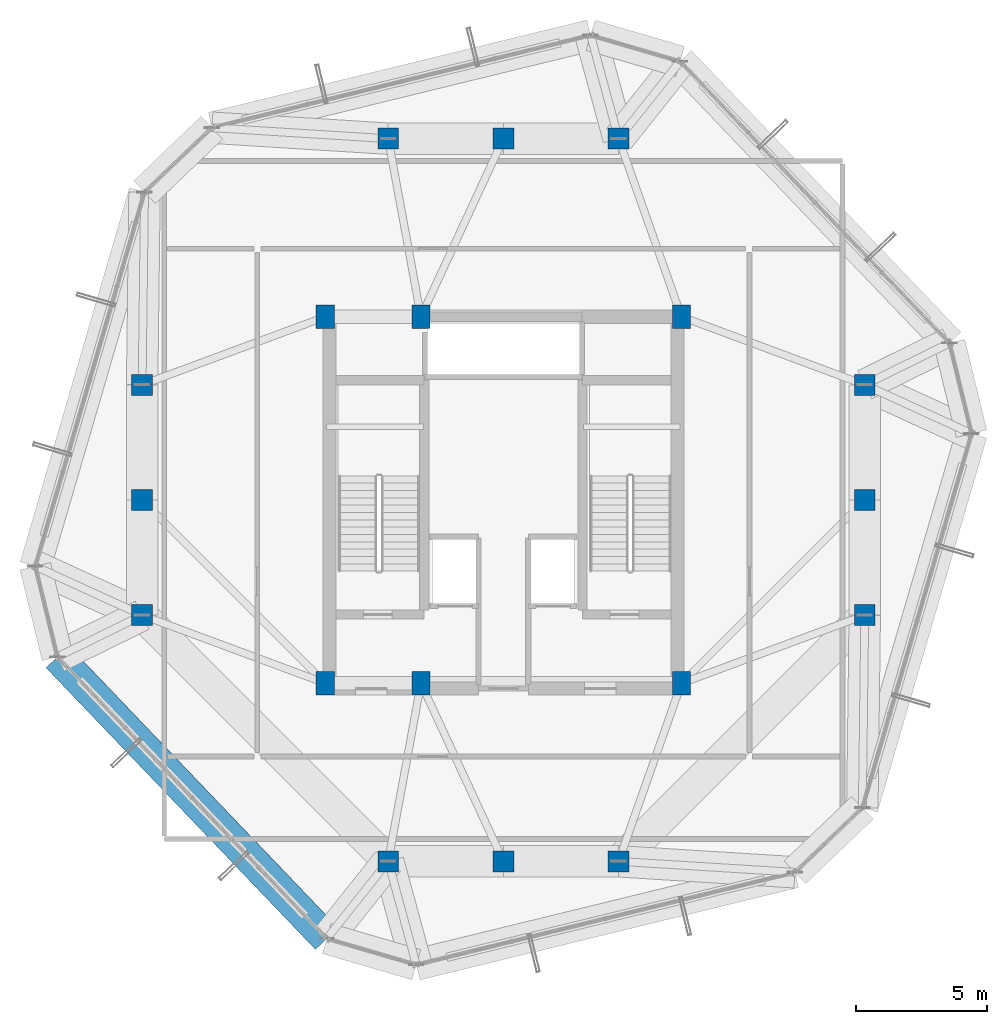
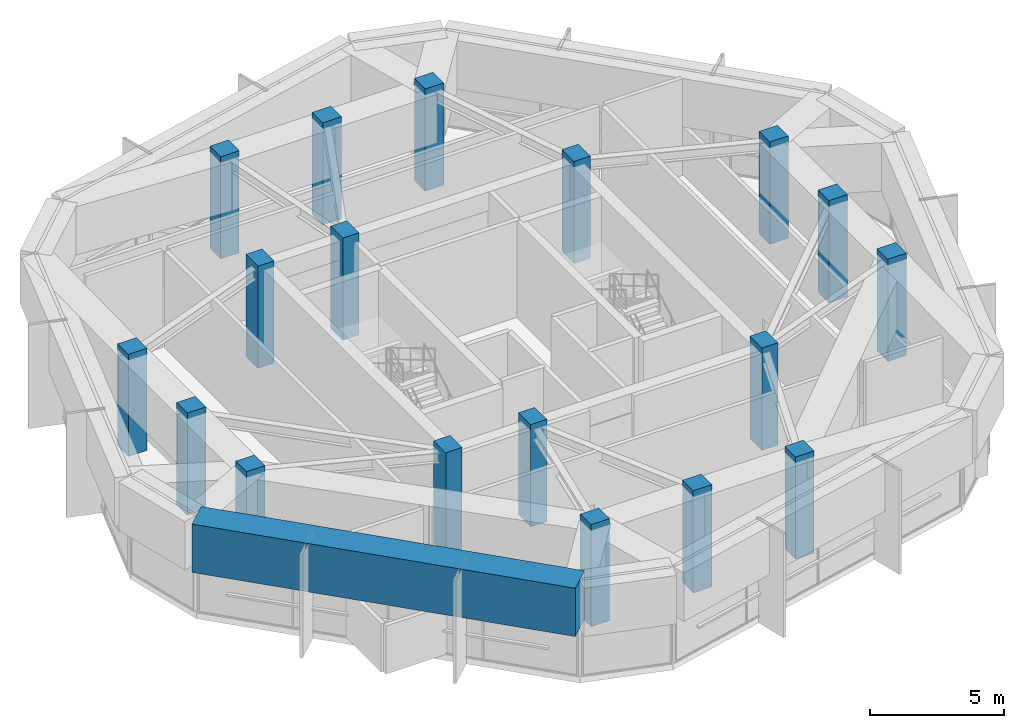
# One storey, part 1 of 39: 18 columns, 1 beam.
"""IFC4 building model written with IfcOpenShell, lengths in metres."""

from ifc_helpers import new_model, si_unit, direction, frame, origin, origin_2d, place, context, subcontext, project, spatial, rectangle, extrude, material, material_profile, profile_set, type_object, element, save


model = new_model("IFC4")

# Units and contexts
model_context = context("Model", 3, precision=1e-05, world=origin(), true_north=direction((0.0, 1.0)))
body_context = subcontext(model_context, "Body", "Model", "MODEL_VIEW")
ifc_project = project(units=[si_unit("LENGTHUNIT", "METRE"), si_unit("AREAUNIT", "SQUARE_METRE"), si_unit("VOLUMEUNIT", "CUBIC_METRE"), si_unit("PLANEANGLEUNIT", "RADIAN"), si_unit("MASSUNIT", "GRAM", prefix="KILO")], contexts=[model_context])

# Site, building, storey
site_placement = place(None, origin())
site = spatial("IfcSite", under=ifc_project, at=site_placement, CompositionType="ELEMENT")
building_placement = place(site_placement, origin())
building = spatial("IfcBuilding", under=site, at=building_placement, Name="Veraguas Prism Commons", CompositionType="ELEMENT")
storey_placement = place(building_placement, frame((0.0, 0.0, 264.25)))
storey = spatial("IfcBuildingStorey", under=building, at=storey_placement, Name="L75", CompositionType="ELEMENT", Elevation=264.25)

# Columns
ifc_material = material(Name="Concrete C50/60", Category="concrete")
ifc_material_profile_1 = material_profile(ifc_material, rectangle(XDim=0.800048828125, YDim=0.800048828125, at=origin_2d()), Name="RC800X800")
ifc_profile_set_1 = profile_set([ifc_material_profile_1], Name="Concrete C50/60")
column_type_1 = type_object("IfcColumnType", Name="Column Tube Z4 RC 800x800", PredefinedType="COLUMN", material=ifc_profile_set_1)
for number, where, z_axis, x_axis, name in (
    (1, (37.800048828125, 19.60009765625, 0.0), (0.0, 0.0, 1.0), (1.0, 0.0, 0.0), "Tower Perimeter Column L75-TB01"),
    (2, (37.800048828125, 24.0, 0.0), (0.0, 0.0, 1.0), (1.0, 0.0, 0.0), "Tower Perimeter Column L75-TB02"),
    (3, (37.800048828125, 28.39990234375, 0.0), (0.0, 0.0, 1.0), (1.0, 0.0, 0.0), "Tower Perimeter Column L75-TB03"),
    (4, (28.39990234375, 37.800048828125, 0.0), (0.0, 0.0, 1.0), (1.0, 0.0, 0.0), "Tower Perimeter Column L75-TB04"),
    (5, (24.0, 37.800048828125, 0.0), (0.0, 0.0, 1.0), (1.0, 0.0, 0.0), "Tower Perimeter Column L75-TB05"),
    (6, (19.60009765625, 37.800048828125, 0.0), (0.0, 0.0, 1.0), (1.0, 0.0, 0.0), "Tower Perimeter Column L75-TB06"),
    (7, (10.199951171875, 28.39990234375, 0.0), (0.0, 0.0, 1.0), (1.0, 0.0, 0.0), "Tower Perimeter Column L75-TB07"),
    (8, (10.199951171875, 24.0, 0.0), (0.0, 0.0, 1.0), (1.0, 0.0, 0.0), "Tower Perimeter Column L75-TB08"),
    (9, (10.199951171875, 19.60009765625, 0.0), (0.0, 0.0, 1.0), (1.0, 0.0, 0.0), "Tower Perimeter Column L75-TB09"),
    (10, (19.60009765625, 10.199951171875, 0.0), (0.0, 0.0, 1.0), (1.0, 0.0, 0.0), "Tower Perimeter Column L75-TB10"),
    (11, (24.0, 10.199951171875, 0.0), (0.0, 0.0, 1.0), (1.0, 0.0, 0.0), "Tower Perimeter Column L75-TB11"),
    (12, (28.39990234375, 10.199951171875, 0.0), (0.0, 0.0, 1.0), (1.0, 0.0, 0.0), "Tower Perimeter Column L75-TB12"),
):
    element("IfcColumn", number, at=place(storey_placement, frame(where, z_axis=z_axis, x_axis=x_axis)), inside=storey, type_object=column_type_1, Name=name, PredefinedType="COLUMN", context=body_context, shape_type="SweptSolid", body=[
        extrude(rectangle(XDim=0.800048828125, YDim=0.800048828125, at=origin_2d()), origin(), (0.0, 0.0, 1.0), 4.64990234375),
    ])
ifc_material_profile_2 = material_profile(ifc_material, rectangle(XDim=0.699951171875, YDim=0.89990234375, at=origin_2d()), Name="RC700X900")
ifc_profile_set_2 = profile_set([ifc_material_profile_2], Name="Concrete C50/60")
column_type_2 = type_object("IfcColumnType", Name="Pilaster Core Upper RC 700x900", PredefinedType="PILASTER", material=ifc_profile_set_2)
for number, where, z_axis, x_axis, name in (
    (13, (17.199951171875, 17.0, 0.0), (0.0, 0.0, 1.0), (1.0, 0.0, 0.0), "Core Pilaster Column L75-CR1"),
    (14, (20.85009765625, 17.0, 0.0), (0.0, 0.0, 1.0), (1.0, 0.0, 0.0), "Core Pilaster Column L75-CR2"),
    (15, (30.800048828125, 17.0, 0.0), (0.0, 0.0, 1.0), (1.0, 0.0, 0.0), "Core Pilaster Column L75-CR3"),
    (16, (17.199951171875, 31.0, 0.0), (0.0, 0.0, 1.0), (1.0, 0.0, 0.0), "Core Pilaster Column L75-CR4"),
    (17, (20.85009765625, 31.0, 0.0), (0.0, 0.0, 1.0), (1.0, 0.0, 0.0), "Core Pilaster Column L75-CR5"),
    (18, (30.800048828125, 31.0, 0.0), (0.0, 0.0, 1.0), (1.0, 0.0, 0.0), "Core Pilaster Column L75-CR6"),
):
    element("IfcColumn", number, at=place(storey_placement, frame(where, z_axis=z_axis, x_axis=x_axis)), inside=storey, type_object=column_type_2, Name=name, PredefinedType="PILASTER", context=body_context, shape_type="SweptSolid", body=[
        extrude(rectangle(XDim=0.699951171875, YDim=0.89990234375, at=origin_2d()), origin(), (0.0, 0.0, 1.0), 4.64990234375),
    ])

# Beam
ifc_material_profile_3 = material_profile(ifc_material, rectangle(XDim=1.199951171875, YDim=2.199951171875, at=origin_2d()), Name="RC1200X2200")
ifc_profile_set_3 = profile_set([ifc_material_profile_3], Name="Concrete C50/60")
beam_type = type_object("IfcBeamType", Name="Podium Transfer Girder RC 1200x2200", PredefinedType="BEAM", material=ifc_profile_set_3)
beam_placement = place(storey_placement, frame((6.963623046875, 18.007080078125, 3.2900390625), z_axis=(0.691136997452, -0.722723772097, 0.0), x_axis=(0.722723772097, 0.691136997452, 0.0)))
element("IfcBeam", 19, at=beam_placement, inside=storey, type_object=beam_type, Name="Crown Base Ring Beam L75-08", PredefinedType="BEAM", context=body_context, shape_type="SweptSolid", body=[
    extrude(rectangle(XDim=1.199951171875, YDim=2.199951171875, at=origin_2d()), origin(), (0.0, 0.0, 1.0), 14.886474609375),
])

save(model, "model.ifc")
